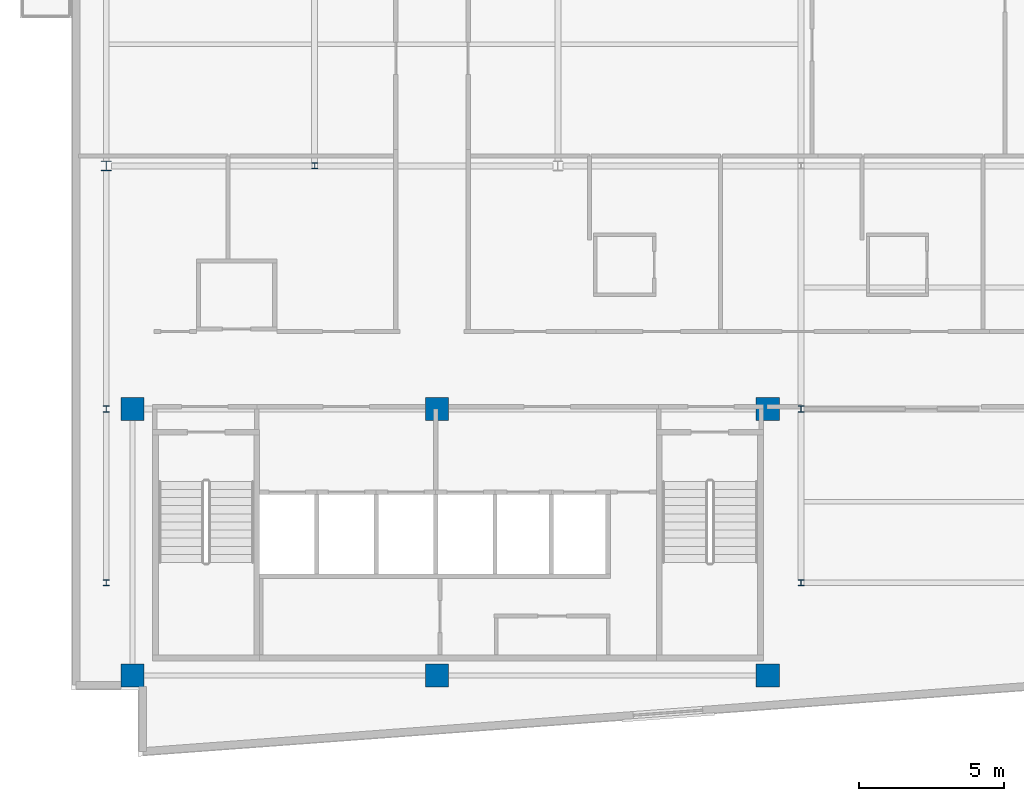
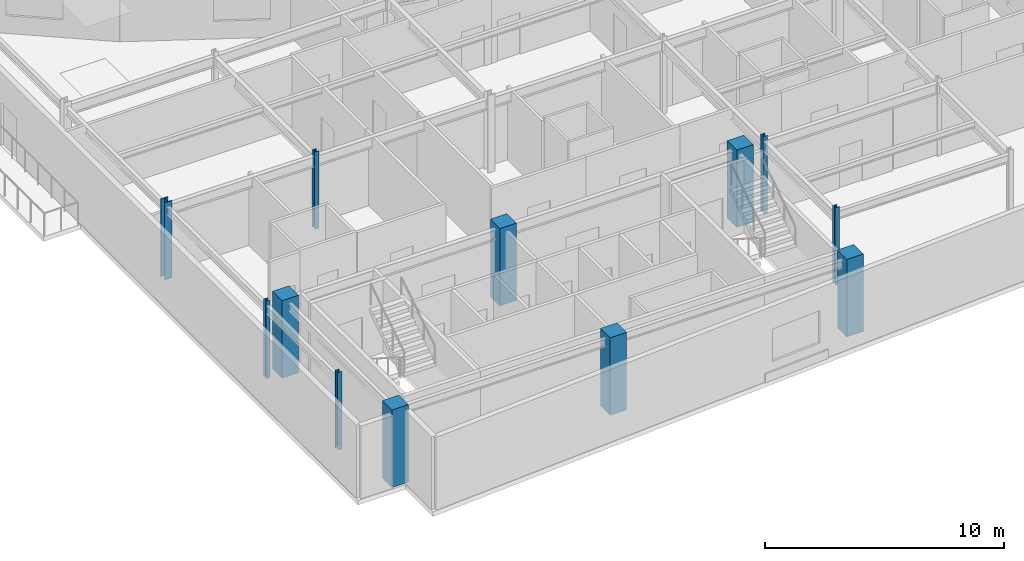
# One storey, part 1 of 15: 12 columns.
"""IFC4 building model written with IfcOpenShell, lengths in metres."""

from ifc_helpers import new_model, si_unit, direction, frame, origin, origin_2d, place, context, subcontext, project, spatial, rectangle, i_section, extrude, material, material_profile, profile_set, type_object, element, save


model = new_model("IFC4")

# Units and contexts
model_context = context("Model", 3, precision=1e-05, world=origin(), true_north=direction((0.0, 1.0)))
body_context = subcontext(model_context, "Body", "Model", "MODEL_VIEW")
ifc_project = project(units=[si_unit("LENGTHUNIT", "METRE"), si_unit("AREAUNIT", "SQUARE_METRE"), si_unit("VOLUMEUNIT", "CUBIC_METRE"), si_unit("PLANEANGLEUNIT", "RADIAN"), si_unit("MASSUNIT", "GRAM", prefix="KILO")], contexts=[model_context])

# Site, building, storey
site_placement = place(None, origin())
site = spatial("IfcSite", under=ifc_project, at=site_placement, CompositionType="ELEMENT")
building_placement = place(site_placement, origin())
building = spatial("IfcBuilding", under=site, at=building_placement, Name="Varnakote Quay Hospital", CompositionType="ELEMENT")
storey_placement = place(building_placement, frame((0.0, 0.0, 284.199951171875)))
storey = spatial("IfcBuildingStorey", under=building, at=storey_placement, Name="L70", CompositionType="ELEMENT", Elevation=284.199951171875)

# Columns
ifc_material_1 = material(Name="Concrete N50 (f'c 50 MPa)", Category="concrete")
ifc_material_profile_1 = material_profile(ifc_material_1, rectangle(XDim=0.800048828125, YDim=0.800048828125, at=origin_2d()), Name="RC-COL-800x800")
ifc_profile_set_1 = profile_set([ifc_material_profile_1], Name="Concrete N50 (f'c 50 MPa)")
column_type_1 = type_object("IfcColumnType", Name="COL-RC-800", PredefinedType="COLUMN", material=ifc_profile_set_1)
for number, where, z_axis, x_axis, name in (
    (1, (2.10009765625, 2.800048828125, 0.0), (0.0, 0.0, 1.0), (1.0, 0.0, 0.0), "L70 Structural Column C-2-3"),
    (2, (12.6201171875, 2.800048828125, 0.0), (0.0, 0.0, 1.0), (1.0, 0.0, 0.0), "L70 Structural Column C-13-3"),
    (3, (24.050048828125, 2.800048828125, 0.0), (0.0, 0.0, 1.0), (1.0, 0.0, 0.0), "L70 Structural Column C-24-3"),
    (4, (2.10009765625, 12.0, 0.0), (0.0, 0.0, 1.0), (1.0, 0.0, 0.0), "L70 Structural Column C-2-12"),
    (5, (12.6201171875, 12.0, 0.0), (0.0, 0.0, 1.0), (1.0, 0.0, 0.0), "L70 Structural Column C-13-12"),
    (6, (24.050048828125, 12.0, 0.0), (0.0, 0.0, 1.0), (1.0, 0.0, 0.0), "L70 Structural Column C-24-12"),
):
    element("IfcColumn", number, at=place(storey_placement, frame(where, z_axis=z_axis, x_axis=x_axis)), inside=storey, type_object=column_type_1, Name=name, PredefinedType="COLUMN", context=body_context, shape_type="SweptSolid", body=[
        extrude(rectangle(XDim=0.800048828125, YDim=0.800048828125, at=origin_2d()), origin(), (0.0, 0.0, 1.0), 3.949951171875),
    ])
ifc_material_2 = material(Name="Structural steel AS/NZS 3679.1 Grade 350 L0 (fy 340 MPa)", Category="steel")
ifc_material_profile_2 = material_profile(ifc_material_2, i_section(OverallWidth=0.205078125, OverallDepth=0.2099609375, WebThickness=0.00927734375, FlangeThickness=0.01416015625, FilletRadius=0.011474609375, at=origin_2d()), Name="200UC59.5")
ifc_profile_set_2 = profile_set([ifc_material_profile_2], Name="Structural steel AS/NZS 3679.1 Grade 350 L0 (fy 340 MPa)")
column_type_2 = type_object("IfcColumnType", Name="COL-STL-200UC59-5", PredefinedType="COLUMN", material=ifc_profile_set_2)
for number, where, z_axis, x_axis, name in (
    (7, (1.199951171875, 6.0, 0.0), (0.0, 0.0, 1.0), (1.0, 0.0, 0.0), "L70 Structural Column C-1-6"),
    (8, (25.199951171875, 6.0, 0.0), (0.0, 0.0, 1.0), (1.0, 0.0, 0.0), "L70 Structural Column C-25-6"),
    (9, (1.199951171875, 12.0, 0.0), (0.0, 0.0, 1.0), (1.0, 0.0, 0.0), "L70 Structural Column C-1-12"),
    (10, (25.199951171875, 12.0, 0.0), (0.0, 0.0, 1.0), (1.0, 0.0, 0.0), "L70 Structural Column C-25-12"),
    (11, (8.39990234375, 20.39990234375, 0.0), (0.0, 0.0, 1.0), (1.0, 0.0, 0.0), "L70 Structural Column C-8-20"),
):
    element("IfcColumn", number, at=place(storey_placement, frame(where, z_axis=z_axis, x_axis=x_axis)), inside=storey, type_object=column_type_2, Name=name, PredefinedType="COLUMN", context=body_context, shape_type="SweptSolid", body=[
        extrude(i_section(OverallWidth=0.205078125, OverallDepth=0.2099609375, WebThickness=0.00927734375, FlangeThickness=0.01416015625, FilletRadius=0.011474609375, at=origin_2d()), origin(), (0.0, 0.0, 1.0), 3.949951171875),
    ])
ifc_material_3 = material(Name="Structural steel AS/NZS 3678 Grade 350 (fy 340 MPa)", Category="steel")
ifc_material_profile_3 = material_profile(ifc_material_3, i_section(OverallWidth=0.35009765625, OverallDepth=0.340087890625, WebThickness=0.01611328125, FlangeThickness=0.028076171875, at=origin_2d()), Name="350WC197")
ifc_profile_set_3 = profile_set([ifc_material_profile_3], Name="Structural steel AS/NZS 3678 Grade 350 (fy 340 MPa)")
column_type_3 = type_object("IfcColumnType", Name="COL-STL-350WC197", PredefinedType="COLUMN", material=ifc_profile_set_3)
column_placement = place(storey_placement, frame((1.199951171875, 20.39990234375, 0.0), z_axis=(0.0, 0.0, 1.0), x_axis=(1.0, 0.0, 0.0)))
element("IfcColumn", 12, at=column_placement, inside=storey, type_object=column_type_3, Name="L70 Structural Column C-1-20", PredefinedType="COLUMN", context=body_context, shape_type="SweptSolid", body=[
    extrude(i_section(OverallWidth=0.35009765625, OverallDepth=0.340087890625, WebThickness=0.01611328125, FlangeThickness=0.028076171875, at=origin_2d()), origin(), (0.0, 0.0, 1.0), 3.949951171875),
])

save(model, "model.ifc")
